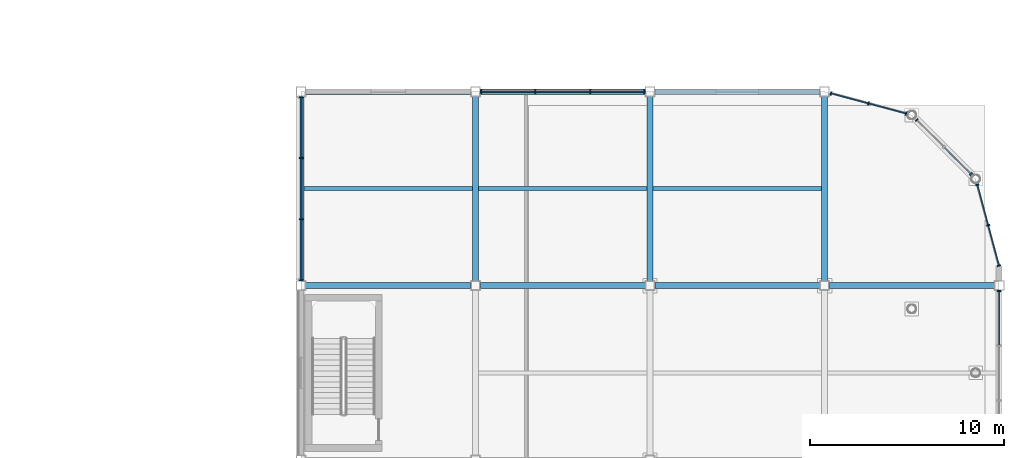
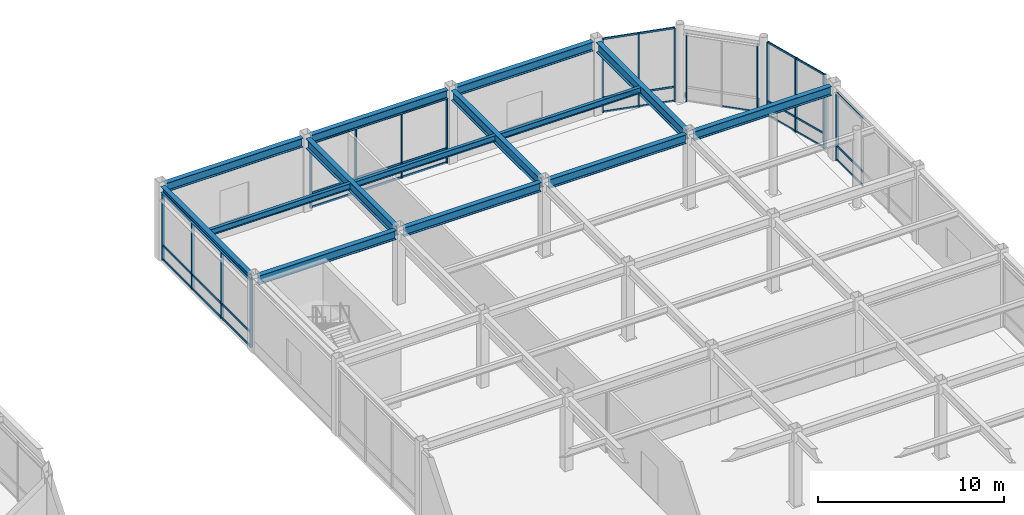
# One storey, part 62 of 123: 51 members, 14 beams, 6 elements without a shape of their own.
"""IFC4 building model written with IfcOpenShell, lengths in metres."""

from ifc_helpers import new_model, si_unit, direction, frame, origin, origin_2d, place, context, subcontext, project, spatial, rectangle, i_section, extrude, material, material_profile, profile_set, type_object, element, aggregate, save


model = new_model("IFC4")

# Units and contexts
model_context = context("Model", 3, precision=1e-05, world=origin(), true_north=direction((0.0, 1.0)))
body_context = subcontext(model_context, "Body", "Model", "MODEL_VIEW")
ifc_project = project(units=[si_unit("LENGTHUNIT", "METRE"), si_unit("AREAUNIT", "SQUARE_METRE"), si_unit("VOLUMEUNIT", "CUBIC_METRE"), si_unit("PLANEANGLEUNIT", "RADIAN"), si_unit("MASSUNIT", "GRAM", prefix="KILO")], contexts=[model_context])

# Site, building, storey
site_placement = place(None, origin())
site = spatial("IfcSite", under=ifc_project, at=site_placement, CompositionType="ELEMENT")
building_placement = place(site_placement, origin())
building = spatial("IfcBuilding", under=site, at=building_placement, Name="Suzunagisa Mobility Hub", CompositionType="ELEMENT")
storey_placement = place(building_placement, origin())
storey = spatial("IfcBuildingStorey", under=building, at=storey_placement, Name="L00", CompositionType="ELEMENT", Elevation=0.0)

# Curtain wall, members
ifc_material_1 = material(Name="Thermally Broken Anodized Aluminum and Low-E Glazing", Category="aluminium")
curtain_wall_type_1 = type_object("IfcCurtainWallType", Name="Unitised Curtain Wall CW-47 8500x4400", PredefinedType="USERDEFINED", material=ifc_material_1)
curtain_wall_1_placement = place(storey_placement, origin())
curtain_wall_1 = element("IfcCurtainWall", 1, at=curtain_wall_1_placement, inside=storey, type_object=curtain_wall_type_1, Name="L00 Unitised Curtain Wall CW-175", ObjectType="UNITISED CURTAIN WALL", PredefinedType="USERDEFINED")
ifc_material_2 = material(Name="Anodized Aluminum 6063-T6", Category="aluminium")
ifc_material_profile_1 = material_profile(ifc_material_2, rectangle(XDim=0.06494140625, YDim=0.139892578125, at=origin_2d()), Name="TRAN-65x140")
ifc_profile_set_1 = profile_set([ifc_material_profile_1], Name="Anodized Aluminum 6063-T6")
member_type_1 = type_object("IfcMemberType", Name="Curtain Wall Framing CM-01 TRAN-65x140", PredefinedType="USERDEFINED", material=ifc_profile_set_1)
member_1_placement = place(storey_placement, frame((180.0, 94.947265625, 0.032470703125), z_axis=(0.0, 1.0, 0.0), x_axis=(-1.0, 0.0, 0.0)))
member_1 = element("IfcMember", 2, at=member_1_placement, type_object=member_type_1, Name="Curtain Wall Transom 175-T3.1", ObjectType="TRANSOM", PredefinedType="USERDEFINED", context=body_context, shape_type="SweptSolid", body=[
    extrude(rectangle(XDim=0.06494140625, YDim=0.139892578125, at=origin_2d()), origin(), (0.0, 0.0, 1.0), 2.73974609375),
])
member_2_placement = place(storey_placement, frame((180.0, 94.947265625, 0.949951171875), z_axis=(0.0, 1.0, 0.0), x_axis=(-1.0, 0.0, 0.0)))
member_2 = element("IfcMember", 3, at=member_2_placement, type_object=member_type_1, Name="Curtain Wall Transom 175-T3.2", ObjectType="TRANSOM", PredefinedType="USERDEFINED", context=body_context, shape_type="SweptSolid", body=[
    extrude(rectangle(XDim=0.06494140625, YDim=0.139892578125, at=origin_2d()), origin(), (0.0, 0.0, 1.0), 2.73974609375),
])
member_3_placement = place(storey_placement, frame((180.0, 94.947265625, 4.407470703125), z_axis=(0.0, 1.0, 0.0), x_axis=(-1.0, 0.0, 0.0)))
member_3 = element("IfcMember", 4, at=member_3_placement, type_object=member_type_1, Name="Curtain Wall Transom 175-T3.3", ObjectType="TRANSOM", PredefinedType="USERDEFINED", context=body_context, shape_type="SweptSolid", body=[
    extrude(rectangle(XDim=0.06494140625, YDim=0.139892578125, at=origin_2d()), origin(), (0.0, 0.0, 1.0), 2.73974609375),
])

curtain_wall_type_2 = type_object("IfcCurtainWallType", Name="Unitised Curtain Wall CW-21 8500x4300", PredefinedType="USERDEFINED", material=ifc_material_1)
curtain_wall_2_placement = place(storey_placement, origin())
curtain_wall_2 = element("IfcCurtainWall", 5, at=curtain_wall_2_placement, inside=storey, type_object=curtain_wall_type_2, Name="L00 Unitised Curtain Wall CW-179", ObjectType="UNITISED CURTAIN WALL", PredefinedType="USERDEFINED")
member_4_placement = place(storey_placement, frame((161.68701171875, 108.0, 0.032470703125), z_axis=(-1.0, 0.0, 0.0), x_axis=(0.0, -1.0, 0.0)))
member_4 = element("IfcMember", 6, at=member_4_placement, type_object=member_type_1, Name="Curtain Wall Transom 179-T1.1", ObjectType="TRANSOM", PredefinedType="USERDEFINED", context=body_context, shape_type="SweptSolid", body=[
    extrude(rectangle(XDim=0.06494140625, YDim=0.139892578125, at=origin_2d()), origin(), (0.0, 0.0, 1.0), 2.73974609375),
])
member_5_placement = place(storey_placement, frame((161.68701171875, 108.0, 0.949951171875), z_axis=(-1.0, 0.0, 0.0), x_axis=(0.0, -1.0, 0.0)))
member_5 = element("IfcMember", 7, at=member_5_placement, type_object=member_type_1, Name="Curtain Wall Transom 179-T1.2", ObjectType="TRANSOM", PredefinedType="USERDEFINED", context=body_context, shape_type="SweptSolid", body=[
    extrude(rectangle(XDim=0.06494140625, YDim=0.139892578125, at=origin_2d()), origin(), (0.0, 0.0, 1.0), 2.73974609375),
])
member_6_placement = place(storey_placement, frame((161.68701171875, 108.0, 4.219482421875), z_axis=(-1.0, 0.0, 0.0), x_axis=(0.0, -1.0, 0.0)))
member_6 = element("IfcMember", 8, at=member_6_placement, type_object=member_type_1, Name="Curtain Wall Transom 179-T1.3", ObjectType="TRANSOM", PredefinedType="USERDEFINED", context=body_context, shape_type="SweptSolid", body=[
    extrude(rectangle(XDim=0.06494140625, YDim=0.139892578125, at=origin_2d()), origin(), (0.0, 0.0, 1.0), 2.73974609375),
])
member_7_placement = place(storey_placement, frame((158.88623046875, 108.0, 0.032470703125), z_axis=(-1.0, 0.0, 0.0), x_axis=(0.0, -1.0, 0.0)))
member_7 = element("IfcMember", 9, at=member_7_placement, type_object=member_type_1, Name="Curtain Wall Transom 179-T2.1", ObjectType="TRANSOM", PredefinedType="USERDEFINED", context=body_context, shape_type="SweptSolid", body=[
    extrude(rectangle(XDim=0.06494140625, YDim=0.139892578125, at=origin_2d()), origin(), (0.0, 0.0, 1.0), 2.7724609375),
])
member_8_placement = place(storey_placement, frame((158.88623046875, 108.0, 0.949951171875), z_axis=(-1.0, 0.0, 0.0), x_axis=(0.0, -1.0, 0.0)))
member_8 = element("IfcMember", 10, at=member_8_placement, type_object=member_type_1, Name="Curtain Wall Transom 179-T2.2", ObjectType="TRANSOM", PredefinedType="USERDEFINED", context=body_context, shape_type="SweptSolid", body=[
    extrude(rectangle(XDim=0.06494140625, YDim=0.139892578125, at=origin_2d()), origin(), (0.0, 0.0, 1.0), 2.7724609375),
])
member_9_placement = place(storey_placement, frame((158.88623046875, 108.0, 4.219482421875), z_axis=(-1.0, 0.0, 0.0), x_axis=(0.0, -1.0, 0.0)))
member_9 = element("IfcMember", 11, at=member_9_placement, type_object=member_type_1, Name="Curtain Wall Transom 179-T2.3", ObjectType="TRANSOM", PredefinedType="USERDEFINED", context=body_context, shape_type="SweptSolid", body=[
    extrude(rectangle(XDim=0.06494140625, YDim=0.139892578125, at=origin_2d()), origin(), (0.0, 0.0, 1.0), 2.7724609375),
])
member_10_placement = place(storey_placement, frame((156.052734375, 108.0, 0.032470703125), z_axis=(-1.0, 0.0, 0.0), x_axis=(0.0, -1.0, 0.0)))
member_10 = element("IfcMember", 12, at=member_10_placement, type_object=member_type_1, Name="Curtain Wall Transom 179-T3.1", ObjectType="TRANSOM", PredefinedType="USERDEFINED", context=body_context, shape_type="SweptSolid", body=[
    extrude(rectangle(XDim=0.06494140625, YDim=0.139892578125, at=origin_2d()), origin(), (0.0, 0.0, 1.0), 2.73974609375),
])
member_11_placement = place(storey_placement, frame((156.052734375, 108.0, 0.949951171875), z_axis=(-1.0, 0.0, 0.0), x_axis=(0.0, -1.0, 0.0)))
member_11 = element("IfcMember", 13, at=member_11_placement, type_object=member_type_1, Name="Curtain Wall Transom 179-T3.2", ObjectType="TRANSOM", PredefinedType="USERDEFINED", context=body_context, shape_type="SweptSolid", body=[
    extrude(rectangle(XDim=0.06494140625, YDim=0.139892578125, at=origin_2d()), origin(), (0.0, 0.0, 1.0), 2.73974609375),
])
member_12_placement = place(storey_placement, frame((156.052734375, 108.0, 4.219482421875), z_axis=(-1.0, 0.0, 0.0), x_axis=(0.0, -1.0, 0.0)))
member_12 = element("IfcMember", 14, at=member_12_placement, type_object=member_type_1, Name="Curtain Wall Transom 179-T3.3", ObjectType="TRANSOM", PredefinedType="USERDEFINED", context=body_context, shape_type="SweptSolid", body=[
    extrude(rectangle(XDim=0.06494140625, YDim=0.139892578125, at=origin_2d()), origin(), (0.0, 0.0, 1.0), 2.73974609375),
])

curtain_wall_type_3 = type_object("IfcCurtainWallType", Name="Unitised Curtain Wall CW-16 9500x4400", PredefinedType="USERDEFINED", material=ifc_material_1)
curtain_wall_3_placement = place(storey_placement, origin())
curtain_wall_3 = element("IfcCurtainWall", 15, at=curtain_wall_3_placement, inside=storey, type_object=curtain_wall_type_3, Name="L00 Unitised Curtain Wall CW-180", ObjectType="UNITISED CURTAIN WALL", PredefinedType="USERDEFINED")
member_13_placement = place(storey_placement, frame((144.0, 107.68701171875, 0.032470703125), z_axis=(0.0, -1.0, 0.0), x_axis=(1.0, 0.0, 0.0)))
member_13 = element("IfcMember", 16, at=member_13_placement, type_object=member_type_1, Name="Curtain Wall Transom 180-T1.1", ObjectType="TRANSOM", PredefinedType="USERDEFINED", context=body_context, shape_type="SweptSolid", body=[
    extrude(rectangle(XDim=0.06494140625, YDim=0.139892578125, at=origin_2d()), origin(), (0.0, 0.0, 1.0), 3.0732421875),
])
member_14_placement = place(storey_placement, frame((144.0, 107.68701171875, 0.949951171875), z_axis=(0.0, -1.0, 0.0), x_axis=(1.0, 0.0, 0.0)))
member_14 = element("IfcMember", 17, at=member_14_placement, type_object=member_type_1, Name="Curtain Wall Transom 180-T1.2", ObjectType="TRANSOM", PredefinedType="USERDEFINED", context=body_context, shape_type="SweptSolid", body=[
    extrude(rectangle(XDim=0.06494140625, YDim=0.139892578125, at=origin_2d()), origin(), (0.0, 0.0, 1.0), 3.0732421875),
])
member_15_placement = place(storey_placement, frame((144.0, 107.68701171875, 4.407470703125), z_axis=(0.0, -1.0, 0.0), x_axis=(1.0, 0.0, 0.0)))
member_15 = element("IfcMember", 18, at=member_15_placement, type_object=member_type_1, Name="Curtain Wall Transom 180-T1.3", ObjectType="TRANSOM", PredefinedType="USERDEFINED", context=body_context, shape_type="SweptSolid", body=[
    extrude(rectangle(XDim=0.06494140625, YDim=0.139892578125, at=origin_2d()), origin(), (0.0, 0.0, 1.0), 3.0732421875),
])
member_16_placement = place(storey_placement, frame((144.0, 104.552734375, 0.032470703125), z_axis=(0.0, -1.0, 0.0), x_axis=(1.0, 0.0, 0.0)))
member_16 = element("IfcMember", 19, at=member_16_placement, type_object=member_type_1, Name="Curtain Wall Transom 180-T2.1", ObjectType="TRANSOM", PredefinedType="USERDEFINED", context=body_context, shape_type="SweptSolid", body=[
    extrude(rectangle(XDim=0.06494140625, YDim=0.139892578125, at=origin_2d()), origin(), (0.0, 0.0, 1.0), 3.10546875),
])
member_17_placement = place(storey_placement, frame((144.0, 104.552734375, 0.949951171875), z_axis=(0.0, -1.0, 0.0), x_axis=(1.0, 0.0, 0.0)))
member_17 = element("IfcMember", 20, at=member_17_placement, type_object=member_type_1, Name="Curtain Wall Transom 180-T2.2", ObjectType="TRANSOM", PredefinedType="USERDEFINED", context=body_context, shape_type="SweptSolid", body=[
    extrude(rectangle(XDim=0.06494140625, YDim=0.139892578125, at=origin_2d()), origin(), (0.0, 0.0, 1.0), 3.10546875),
])
member_18_placement = place(storey_placement, frame((144.0, 104.552734375, 4.407470703125), z_axis=(0.0, -1.0, 0.0), x_axis=(1.0, 0.0, 0.0)))
member_18 = element("IfcMember", 21, at=member_18_placement, type_object=member_type_1, Name="Curtain Wall Transom 180-T2.3", ObjectType="TRANSOM", PredefinedType="USERDEFINED", context=body_context, shape_type="SweptSolid", body=[
    extrude(rectangle(XDim=0.06494140625, YDim=0.139892578125, at=origin_2d()), origin(), (0.0, 0.0, 1.0), 3.10546875),
])
member_19_placement = place(storey_placement, frame((144.0, 101.38623046875, 0.032470703125), z_axis=(0.0, -1.0, 0.0), x_axis=(1.0, 0.0, 0.0)))
member_19 = element("IfcMember", 22, at=member_19_placement, type_object=member_type_1, Name="Curtain Wall Transom 180-T3.1", ObjectType="TRANSOM", PredefinedType="USERDEFINED", context=body_context, shape_type="SweptSolid", body=[
    extrude(rectangle(XDim=0.06494140625, YDim=0.139892578125, at=origin_2d()), origin(), (0.0, 0.0, 1.0), 3.0732421875),
])
member_20_placement = place(storey_placement, frame((144.0, 101.38623046875, 0.949951171875), z_axis=(0.0, -1.0, 0.0), x_axis=(1.0, 0.0, 0.0)))
member_20 = element("IfcMember", 23, at=member_20_placement, type_object=member_type_1, Name="Curtain Wall Transom 180-T3.2", ObjectType="TRANSOM", PredefinedType="USERDEFINED", context=body_context, shape_type="SweptSolid", body=[
    extrude(rectangle(XDim=0.06494140625, YDim=0.139892578125, at=origin_2d()), origin(), (0.0, 0.0, 1.0), 3.0732421875),
])
member_21_placement = place(storey_placement, frame((144.0, 101.38623046875, 4.407470703125), z_axis=(0.0, -1.0, 0.0), x_axis=(1.0, 0.0, 0.0)))
member_21 = element("IfcMember", 24, at=member_21_placement, type_object=member_type_1, Name="Curtain Wall Transom 180-T3.3", ObjectType="TRANSOM", PredefinedType="USERDEFINED", context=body_context, shape_type="SweptSolid", body=[
    extrude(rectangle(XDim=0.06494140625, YDim=0.139892578125, at=origin_2d()), origin(), (0.0, 0.0, 1.0), 3.0732421875),
])

curtain_wall_type_4 = type_object("IfcCurtainWallType", Name="Unitised Curtain Wall CW-08 4500x4800", PredefinedType="USERDEFINED", material=ifc_material_1)
curtain_wall_4_placement = place(storey_placement, origin())
curtain_wall_4 = element("IfcCurtainWall", 25, at=curtain_wall_4_placement, inside=storey, type_object=curtain_wall_type_4, Name="L00 Unitised Curtain Wall CW-176", ObjectType="UNITISED CURTAIN WALL", PredefinedType="USERDEFINED")
ifc_material_profile_2 = material_profile(ifc_material_2, rectangle(XDim=0.06005859375, YDim=0.1201171875, at=origin_2d()), Name="TRAN-60x120")
ifc_profile_set_2 = profile_set([ifc_material_profile_2], Name="Anodized Aluminum 6063-T6")
member_type_2 = type_object("IfcMemberType", Name="Curtain Wall Framing CM-02 TRAN-60x120", PredefinedType="USERDEFINED", material=ifc_profile_set_2)
member_22_placement = place(storey_placement, frame((179.983642578125, 99.060791015625, 0.030029296875), z_axis=(-0.258837010304, 0.965921012349, 0.0), x_axis=(-0.965921012349, -0.258837010304, 0.0)))
member_22 = element("IfcMember", 26, at=member_22_placement, type_object=member_type_2, Name="Curtain Wall Transom 176-T1.1", ObjectType="TRANSOM", PredefinedType="USERDEFINED", context=body_context, shape_type="SweptSolid", body=[
    extrude(rectangle(XDim=0.06005859375, YDim=0.1201171875, at=origin_2d()), origin(), (0.0, 0.0, 1.0), 2.095947265625),
])
member_23_placement = place(storey_placement, frame((179.983642578125, 99.060791015625, 0.949951171875), z_axis=(-0.258837010304, 0.965921012349, 0.0), x_axis=(-0.965921012349, -0.258837010304, 0.0)))
member_23 = element("IfcMember", 27, at=member_23_placement, type_object=member_type_2, Name="Curtain Wall Transom 176-T1.2", ObjectType="TRANSOM", PredefinedType="USERDEFINED", context=body_context, shape_type="SweptSolid", body=[
    extrude(rectangle(XDim=0.06005859375, YDim=0.1201171875, at=origin_2d()), origin(), (0.0, 0.0, 1.0), 2.095947265625),
])
member_24_placement = place(storey_placement, frame((179.983642578125, 99.060791015625, 4.81005859375), z_axis=(-0.258837010304, 0.965921012349, 0.0), x_axis=(-0.965921012349, -0.258837010304, 0.0)))
member_24 = element("IfcMember", 28, at=member_24_placement, type_object=member_type_2, Name="Curtain Wall Transom 176-T1.3", ObjectType="TRANSOM", PredefinedType="USERDEFINED", context=body_context, shape_type="SweptSolid", body=[
    extrude(rectangle(XDim=0.06005859375, YDim=0.1201171875, at=origin_2d()), origin(), (0.0, 0.0, 1.0), 2.095947265625),
])
member_25_placement = place(storey_placement, frame((179.42529296875, 101.144287109375, 0.030029296875), z_axis=(-0.258728321405, 0.965950131064, 0.0), x_axis=(-0.965950131064, -0.258728321405, 0.0)))
member_25 = element("IfcMember", 29, at=member_25_placement, type_object=member_type_2, Name="Curtain Wall Transom 176-T2.1", ObjectType="TRANSOM", PredefinedType="USERDEFINED", context=body_context, shape_type="SweptSolid", body=[
    extrude(rectangle(XDim=0.06005859375, YDim=0.1201171875, at=origin_2d()), origin(), (0.0, 0.0, 1.0), 2.095703125),
])
member_26_placement = place(storey_placement, frame((179.42529296875, 101.144287109375, 0.949951171875), z_axis=(-0.258728321405, 0.965950131064, 0.0), x_axis=(-0.965950131064, -0.258728321405, 0.0)))
member_26 = element("IfcMember", 30, at=member_26_placement, type_object=member_type_2, Name="Curtain Wall Transom 176-T2.2", ObjectType="TRANSOM", PredefinedType="USERDEFINED", context=body_context, shape_type="SweptSolid", body=[
    extrude(rectangle(XDim=0.06005859375, YDim=0.1201171875, at=origin_2d()), origin(), (0.0, 0.0, 1.0), 2.095703125),
])
member_27_placement = place(storey_placement, frame((179.42529296875, 101.144287109375, 4.81005859375), z_axis=(-0.258728321405, 0.965950131064, 0.0), x_axis=(-0.965950131064, -0.258728321405, 0.0)))
member_27 = element("IfcMember", 31, at=member_27_placement, type_object=member_type_2, Name="Curtain Wall Transom 176-T2.3", ObjectType="TRANSOM", PredefinedType="USERDEFINED", context=body_context, shape_type="SweptSolid", body=[
    extrude(rectangle(XDim=0.06005859375, YDim=0.1201171875, at=origin_2d()), origin(), (0.0, 0.0, 1.0), 2.095703125),
])

# Curtain wall, member
curtain_wall_type_5 = type_object("IfcCurtainWallType", Name="Unitised Curtain Wall CW-26 4000x4400", PredefinedType="USERDEFINED", material=ifc_material_1)
curtain_wall_5_placement = place(storey_placement, origin())
curtain_wall_5 = element("IfcCurtainWall", 32, at=curtain_wall_5_placement, inside=storey, type_object=curtain_wall_type_5, Name="L00 Unitised Curtain Wall CW-177", ObjectType="UNITISED CURTAIN WALL", PredefinedType="USERDEFINED")
member_28_placement = place(storey_placement, frame((178.52099609375, 103.773193359375, 0.030029296875), z_axis=(-0.707106781187, 0.707106781187, 0.0), x_axis=(-0.707106781187, -0.707106781187, 0.0)))
member_28 = element("IfcMember", 33, at=member_28_placement, type_object=member_type_2, Name="Curtain Wall Transom 177-T1.1", ObjectType="TRANSOM", PredefinedType="USERDEFINED", context=body_context, shape_type="SweptSolid", body=[
    extrude(rectangle(XDim=0.06005859375, YDim=0.1201171875, at=origin_2d()), origin(), (0.0, 0.0, 1.0), 1.912353515625),
])

# Curtain wall, members
curtain_wall_type_6 = type_object("IfcCurtainWallType", Name="Unitised Curtain Wall CW-38 4000x4800", PredefinedType="USERDEFINED", material=ifc_material_1)
curtain_wall_6_placement = place(storey_placement, origin())
curtain_wall_6 = element("IfcCurtainWall", 34, at=curtain_wall_6_placement, inside=storey, type_object=curtain_wall_type_6, Name="L00 Unitised Curtain Wall CW-178", ObjectType="UNITISED CURTAIN WALL", PredefinedType="USERDEFINED")
member_29_placement = place(storey_placement, frame((175.168701171875, 106.883056640625, 0.030029296875), z_axis=(-0.965917200799, 0.258851233725, 0.0), x_axis=(-0.258851233725, -0.965917200799, 0.0)))
member_29 = element("IfcMember", 35, at=member_29_placement, type_object=member_type_2, Name="Curtain Wall Transom 178-T1.1", ObjectType="TRANSOM", PredefinedType="USERDEFINED", context=body_context, shape_type="SweptSolid", body=[
    extrude(rectangle(XDim=0.06005859375, YDim=0.1201171875, at=origin_2d()), origin(), (0.0, 0.0, 1.0), 1.94287109375),
])
member_30_placement = place(storey_placement, frame((175.168701171875, 106.883056640625, 0.949951171875), z_axis=(-0.965917200799, 0.258851233725, 0.0), x_axis=(-0.258851233725, -0.965917200799, 0.0)))
member_30 = element("IfcMember", 36, at=member_30_placement, type_object=member_type_2, Name="Curtain Wall Transom 178-T1.2", ObjectType="TRANSOM", PredefinedType="USERDEFINED", context=body_context, shape_type="SweptSolid", body=[
    extrude(rectangle(XDim=0.06005859375, YDim=0.1201171875, at=origin_2d()), origin(), (0.0, 0.0, 1.0), 1.94287109375),
])
member_31_placement = place(storey_placement, frame((175.168701171875, 106.883056640625, 4.81005859375), z_axis=(-0.965917200799, 0.258851233725, 0.0), x_axis=(-0.258851233725, -0.965917200799, 0.0)))
member_31 = element("IfcMember", 37, at=member_31_placement, type_object=member_type_2, Name="Curtain Wall Transom 178-T1.3", ObjectType="TRANSOM", PredefinedType="USERDEFINED", context=body_context, shape_type="SweptSolid", body=[
    extrude(rectangle(XDim=0.06005859375, YDim=0.1201171875, at=origin_2d()), origin(), (0.0, 0.0, 1.0), 1.94287109375),
])
member_32_placement = place(storey_placement, frame((173.233154296875, 107.401611328125, 0.030029296875), z_axis=(-0.96590877982, 0.258882655013, 0.0), x_axis=(-0.258882655013, -0.96590877982, 0.0)))
member_32 = element("IfcMember", 38, at=member_32_placement, type_object=member_type_2, Name="Curtain Wall Transom 178-T2.1", ObjectType="TRANSOM", PredefinedType="USERDEFINED", context=body_context, shape_type="SweptSolid", body=[
    extrude(rectangle(XDim=0.06005859375, YDim=0.1201171875, at=origin_2d()), origin(), (0.0, 0.0, 1.0), 1.942626953125),
])
member_33_placement = place(storey_placement, frame((173.233154296875, 107.401611328125, 0.949951171875), z_axis=(-0.96590877982, 0.258882655013, 0.0), x_axis=(-0.258882655013, -0.96590877982, 0.0)))
member_33 = element("IfcMember", 39, at=member_33_placement, type_object=member_type_2, Name="Curtain Wall Transom 178-T2.2", ObjectType="TRANSOM", PredefinedType="USERDEFINED", context=body_context, shape_type="SweptSolid", body=[
    extrude(rectangle(XDim=0.06005859375, YDim=0.1201171875, at=origin_2d()), origin(), (0.0, 0.0, 1.0), 1.942626953125),
])
member_34_placement = place(storey_placement, frame((173.233154296875, 107.401611328125, 4.81005859375), z_axis=(-0.96590877982, 0.258882655013, 0.0), x_axis=(-0.258882655013, -0.96590877982, 0.0)))
member_34 = element("IfcMember", 40, at=member_34_placement, type_object=member_type_2, Name="Curtain Wall Transom 178-T2.3", ObjectType="TRANSOM", PredefinedType="USERDEFINED", context=body_context, shape_type="SweptSolid", body=[
    extrude(rectangle(XDim=0.06005859375, YDim=0.1201171875, at=origin_2d()), origin(), (0.0, 0.0, 1.0), 1.942626953125),
])

# Member
ifc_material_profile_3 = material_profile(ifc_material_2, rectangle(XDim=0.06494140625, YDim=0.179931640625, at=origin_2d()), Name="MULL-65x180")
ifc_profile_set_3 = profile_set([ifc_material_profile_3], Name="Anodized Aluminum 6063-T6")
member_type_3 = type_object("IfcMemberType", Name="Curtain Wall Framing CM-04 MULL-65x180", PredefinedType="MULLION", material=ifc_profile_set_3)
member_35_placement = place(storey_placement, frame((180.0, 97.717529296875, 0.0), z_axis=(0.0, 0.0, 1.0), x_axis=(0.0, 1.0, 0.0)))
member_35 = element("IfcMember", 41, at=member_35_placement, type_object=member_type_3, Name="Curtain Wall Mullion 175-M4", PredefinedType="MULLION", context=body_context, shape_type="SweptSolid", body=[
    extrude(rectangle(XDim=0.06494140625, YDim=0.179931640625, at=origin_2d()), origin(), (0.0, 0.0, 1.0), 4.43994140625),
])

aggregate(curtain_wall_1, [member_35, member_1, member_2, member_3])

member_36_placement = place(storey_placement, frame((179.99169921875, 99.031494140625, 0.0), z_axis=(0.0, 0.0, 1.0), x_axis=(-0.258815230137, 0.965926848498, 0.0)))
member_36 = element("IfcMember", 42, at=member_36_placement, type_object=member_type_3, Name="Curtain Wall Mullion 176-M1", PredefinedType="MULLION", context=body_context, shape_type="SweptSolid", body=[
    extrude(rectangle(XDim=0.06494140625, YDim=0.179931640625, at=origin_2d()), origin(), (0.0, 0.0, 1.0), 4.840087890625),
])

member_37_placement = place(storey_placement, frame((179.433349609375, 101.11474609375, 0.0), z_axis=(0.0, 0.0, 1.0), x_axis=(-0.258815230137, 0.965926848498, 0.0)))
member_37 = element("IfcMember", 43, at=member_37_placement, type_object=member_type_3, Name="Curtain Wall Mullion 176-M2", PredefinedType="MULLION", context=body_context, shape_type="SweptSolid", body=[
    extrude(rectangle(XDim=0.06494140625, YDim=0.179931640625, at=origin_2d()), origin(), (0.0, 0.0, 1.0), 4.840087890625),
])

member_38_placement = place(storey_placement, frame((178.875, 103.1982421875, 0.0), z_axis=(0.0, 0.0, 1.0), x_axis=(-0.258815230137, 0.965926848498, 0.0)))
member_38 = element("IfcMember", 44, at=member_38_placement, type_object=member_type_3, Name="Curtain Wall Mullion 176-M3", PredefinedType="MULLION", context=body_context, shape_type="SweptSolid", body=[
    extrude(rectangle(XDim=0.06494140625, YDim=0.179931640625, at=origin_2d()), origin(), (0.0, 0.0, 1.0), 4.840087890625),
])

aggregate(curtain_wall_4, [member_36, member_37, member_38, member_22, member_23, member_24, member_25, member_26, member_27])

member_39_placement = place(storey_placement, frame((178.54248046875, 103.751708984375, 0.0), z_axis=(0.0, 0.0, 1.0), x_axis=(-0.707106781187, 0.707106781187, 0.0)))
member_39 = element("IfcMember", 45, at=member_39_placement, type_object=member_type_3, Name="Curtain Wall Mullion 177-M1", PredefinedType="MULLION", context=body_context, shape_type="SweptSolid", body=[
    extrude(rectangle(XDim=0.06494140625, YDim=0.179931640625, at=origin_2d()), origin(), (0.0, 0.0, 1.0), 4.43994140625),
])

member_40_placement = place(storey_placement, frame((175.751708984375, 106.54248046875, 0.0), z_axis=(0.0, 0.0, 1.0), x_axis=(-0.707106781187, 0.707106781187, 0.0)))
member_40 = element("IfcMember", 46, at=member_40_placement, type_object=member_type_3, Name="Curtain Wall Mullion 177-M3", PredefinedType="MULLION", context=body_context, shape_type="SweptSolid", body=[
    extrude(rectangle(XDim=0.06494140625, YDim=0.179931640625, at=origin_2d()), origin(), (0.0, 0.0, 1.0), 4.43994140625),
])

aggregate(curtain_wall_5, [member_39, member_40, member_28])

member_41_placement = place(storey_placement, frame((175.1982421875, 106.875, 0.0), z_axis=(0.0, 0.0, 1.0), x_axis=(-0.965923280752, 0.258828544988, 0.0)))
member_41 = element("IfcMember", 47, at=member_41_placement, type_object=member_type_3, Name="Curtain Wall Mullion 178-M1", PredefinedType="MULLION", context=body_context, shape_type="SweptSolid", body=[
    extrude(rectangle(XDim=0.06494140625, YDim=0.179931640625, at=origin_2d()), origin(), (0.0, 0.0, 1.0), 4.840087890625),
])

member_42_placement = place(storey_placement, frame((173.2626953125, 107.393798828125, 0.0), z_axis=(0.0, 0.0, 1.0), x_axis=(-0.965923280752, 0.258828544988, 0.0)))
member_42 = element("IfcMember", 48, at=member_42_placement, type_object=member_type_3, Name="Curtain Wall Mullion 178-M2", PredefinedType="MULLION", context=body_context, shape_type="SweptSolid", body=[
    extrude(rectangle(XDim=0.06494140625, YDim=0.179931640625, at=origin_2d()), origin(), (0.0, 0.0, 1.0), 4.840087890625),
])

member_43_placement = place(storey_placement, frame((171.3271484375, 107.912353515625, 0.0), z_axis=(0.0, 0.0, 1.0), x_axis=(-0.965923280752, 0.258828544988, 0.0)))
member_43 = element("IfcMember", 49, at=member_43_placement, type_object=member_type_3, Name="Curtain Wall Mullion 178-M3", PredefinedType="MULLION", context=body_context, shape_type="SweptSolid", body=[
    extrude(rectangle(XDim=0.06494140625, YDim=0.179931640625, at=origin_2d()), origin(), (0.0, 0.0, 1.0), 4.840087890625),
])

aggregate(curtain_wall_6, [member_41, member_42, member_43, member_29, member_30, member_31, member_32, member_33, member_34])

member_44_placement = place(storey_placement, frame((161.717529296875, 108.0, 0.0), z_axis=(0.0, 0.0, 1.0), x_axis=(-1.0, 0.0, 0.0)))
member_44 = element("IfcMember", 50, at=member_44_placement, type_object=member_type_3, Name="Curtain Wall Mullion 179-M1", PredefinedType="MULLION", context=body_context, shape_type="SweptSolid", body=[
    extrude(rectangle(XDim=0.06494140625, YDim=0.179931640625, at=origin_2d()), origin(), (0.0, 0.0, 1.0), 4.251953125),
])

member_45_placement = place(storey_placement, frame((158.916748046875, 108.0, 0.0), z_axis=(0.0, 0.0, 1.0), x_axis=(-1.0, 0.0, 0.0)))
member_45 = element("IfcMember", 51, at=member_45_placement, type_object=member_type_3, Name="Curtain Wall Mullion 179-M2", PredefinedType="MULLION", context=body_context, shape_type="SweptSolid", body=[
    extrude(rectangle(XDim=0.06494140625, YDim=0.179931640625, at=origin_2d()), origin(), (0.0, 0.0, 1.0), 4.251953125),
])

member_46_placement = place(storey_placement, frame((156.083251953125, 108.0, 0.0), z_axis=(0.0, 0.0, 1.0), x_axis=(-1.0, 0.0, 0.0)))
member_46 = element("IfcMember", 52, at=member_46_placement, type_object=member_type_3, Name="Curtain Wall Mullion 179-M3", PredefinedType="MULLION", context=body_context, shape_type="SweptSolid", body=[
    extrude(rectangle(XDim=0.06494140625, YDim=0.179931640625, at=origin_2d()), origin(), (0.0, 0.0, 1.0), 4.251953125),
])

member_47_placement = place(storey_placement, frame((153.282470703125, 108.0, 0.0), z_axis=(0.0, 0.0, 1.0), x_axis=(-1.0, 0.0, 0.0)))
member_47 = element("IfcMember", 53, at=member_47_placement, type_object=member_type_3, Name="Curtain Wall Mullion 179-M4", PredefinedType="MULLION", context=body_context, shape_type="SweptSolid", body=[
    extrude(rectangle(XDim=0.06494140625, YDim=0.179931640625, at=origin_2d()), origin(), (0.0, 0.0, 1.0), 4.251953125),
])

aggregate(curtain_wall_2, [member_44, member_45, member_46, member_47, member_4, member_5, member_6, member_7, member_8, member_9, member_10, member_11, member_12])

member_48_placement = place(storey_placement, frame((144.0, 107.717529296875, 0.0), z_axis=(0.0, 0.0, 1.0), x_axis=(0.0, -1.0, 0.0)))
member_48 = element("IfcMember", 54, at=member_48_placement, type_object=member_type_3, Name="Curtain Wall Mullion 180-M1", PredefinedType="MULLION", context=body_context, shape_type="SweptSolid", body=[
    extrude(rectangle(XDim=0.06494140625, YDim=0.179931640625, at=origin_2d()), origin(), (0.0, 0.0, 1.0), 4.43994140625),
])

member_49_placement = place(storey_placement, frame((144.0, 104.583251953125, 0.0), z_axis=(0.0, 0.0, 1.0), x_axis=(0.0, -1.0, 0.0)))
member_49 = element("IfcMember", 55, at=member_49_placement, type_object=member_type_3, Name="Curtain Wall Mullion 180-M2", PredefinedType="MULLION", context=body_context, shape_type="SweptSolid", body=[
    extrude(rectangle(XDim=0.06494140625, YDim=0.179931640625, at=origin_2d()), origin(), (0.0, 0.0, 1.0), 4.43994140625),
])

member_50_placement = place(storey_placement, frame((144.0, 101.416748046875, 0.0), z_axis=(0.0, 0.0, 1.0), x_axis=(0.0, -1.0, 0.0)))
member_50 = element("IfcMember", 56, at=member_50_placement, type_object=member_type_3, Name="Curtain Wall Mullion 180-M3", PredefinedType="MULLION", context=body_context, shape_type="SweptSolid", body=[
    extrude(rectangle(XDim=0.06494140625, YDim=0.179931640625, at=origin_2d()), origin(), (0.0, 0.0, 1.0), 4.43994140625),
])

member_51_placement = place(storey_placement, frame((144.0, 98.282470703125, 0.0), z_axis=(0.0, 0.0, 1.0), x_axis=(0.0, -1.0, 0.0)))
member_51 = element("IfcMember", 57, at=member_51_placement, type_object=member_type_3, Name="Curtain Wall Mullion 180-M4", PredefinedType="MULLION", context=body_context, shape_type="SweptSolid", body=[
    extrude(rectangle(XDim=0.06494140625, YDim=0.179931640625, at=origin_2d()), origin(), (0.0, 0.0, 1.0), 4.43994140625),
])

aggregate(curtain_wall_3, [member_48, member_49, member_50, member_51, member_13, member_14, member_15, member_16, member_17, member_18, member_19, member_20, member_21])

# Beams
ifc_material_3 = material(Name="Steel SN490B", Category="steel")
ifc_material_profile_4 = material_profile(ifc_material_3, i_section(OverallWidth=0.300048828125, OverallDepth=0.64990234375, WebThickness=0.012939453125, FlangeThickness=0.02197265625, FilletRadius=0.01611328125, at=origin_2d()), Name="H-650x300x13x22")
ifc_profile_set_4 = profile_set([ifc_material_profile_4], Name="Steel SN490B")
beam_type_1 = type_object("IfcBeamType", Name="Steel Beam BM-10 H-650x300x13x22", PredefinedType="BEAM", material=ifc_profile_set_4)
for number, where, z_axis, x_axis, name in (
    (58, (153.0, 98.24609375, 4.514892578125), (0.0, 1.0, 0.0), (-1.0, 0.0, 0.0), "L00 Primary Girder GY-1750"),
    (59, (162.0, 98.24609375, 4.514892578125), (0.0, 1.0, 0.0), (-1.0, 0.0, 0.0), "L00 Primary Girder GY-1757"),
    (60, (171.0, 98.24609375, 4.514892578125), (0.0, 1.0, 0.0), (-1.0, 0.0, 0.0), "L00 Primary Girder GY-1764"),
):
    element("IfcBeam", number, at=place(storey_placement, frame(where, z_axis=z_axis, x_axis=x_axis)), inside=storey, type_object=beam_type_1, Name=name, PredefinedType="BEAM", context=body_context, shape_type="SweptSolid", body=[
        extrude(i_section(OverallWidth=0.300048828125, OverallDepth=0.64990234375, WebThickness=0.012939453125, FlangeThickness=0.02197265625, FilletRadius=0.01611328125, at=origin_2d()), origin(), (0.0, 0.0, 1.0), 9.5078125),
    ])
ifc_material_profile_5 = material_profile(ifc_material_3, i_section(OverallWidth=0.300048828125, OverallDepth=0.389892578125, WebThickness=0.010009765625, FlangeThickness=0.01611328125, FilletRadius=0.012939453125, at=origin_2d()), Name="H-390x300x10x16")
ifc_profile_set_5 = profile_set([ifc_material_profile_5], Name="Steel SN490B")
beam_type_2 = type_object("IfcBeamType", Name="Steel Beam BM-13 H-390x300x10x16", PredefinedType="SPANDREL", material=ifc_profile_set_5)
beam_placement = place(storey_placement, frame((144.0, 98.24609375, 4.64501953125), z_axis=(0.0, 1.0, 0.0), x_axis=(-1.0, 0.0, 0.0)))
element("IfcBeam", 61, at=beam_placement, inside=storey, type_object=beam_type_2, Name="L00 Primary Girder GY-1743", PredefinedType="SPANDREL", context=body_context, shape_type="SweptSolid", body=[
    extrude(i_section(OverallWidth=0.300048828125, OverallDepth=0.389892578125, WebThickness=0.010009765625, FlangeThickness=0.01611328125, FilletRadius=0.012939453125, at=origin_2d()), origin(), (0.0, 0.0, 1.0), 9.5078125),
])
ifc_material_4 = material(Name="Steel SN400B", Category="steel")
ifc_material_profile_6 = material_profile(ifc_material_4, i_section(OverallWidth=0.199951171875, OverallDepth=0.39990234375, WebThickness=0.008056640625, FlangeThickness=0.012939453125, FilletRadius=0.012939453125, at=origin_2d()), Name="H-400x200x8x13")
ifc_profile_set_6 = profile_set([ifc_material_profile_6], Name="Steel SN400B")
beam_type_3 = type_object("IfcBeamType", Name="Steel Beam BM-14 H-400x200x8x13", PredefinedType="JOIST", material=ifc_profile_set_6)
for number, where, z_axis, x_axis, name in (
    (62, (144.14990234375, 103.0, 4.639892578125), (1.0, 0.0, 0.0), (0.0, 1.0, 0.0), "L00 Composite Floor Joist J-1775"),
    (63, (153.14990234375, 103.0, 4.639892578125), (1.0, 0.0, 0.0), (0.0, 1.0, 0.0), "L00 Composite Floor Joist J-1782"),
    (64, (162.14990234375, 103.0, 4.639892578125), (1.0, 0.0, 0.0), (0.0, 1.0, 0.0), "L00 Composite Floor Joist J-1788"),
):
    element("IfcBeam", number, at=place(storey_placement, frame(where, z_axis=z_axis, x_axis=x_axis)), inside=storey, type_object=beam_type_3, Name=name, PredefinedType="JOIST", context=body_context, shape_type="SweptSolid", body=[
        extrude(i_section(OverallWidth=0.199951171875, OverallDepth=0.39990234375, WebThickness=0.008056640625, FlangeThickness=0.012939453125, FilletRadius=0.012939453125, at=origin_2d()), origin(), (0.0, 0.0, 1.0), 8.7001953125),
    ])
ifc_material_profile_7 = material_profile(ifc_material_3, i_section(OverallWidth=0.300048828125, OverallDepth=0.587890625, WebThickness=0.011962890625, FlangeThickness=0.02001953125, FilletRadius=0.012939453125, at=origin_2d()), Name="H-588x300x12x20")
ifc_profile_set_7 = profile_set([ifc_material_profile_7], Name="Steel SN490B")
beam_type_4 = type_object("IfcBeamType", Name="Steel Beam BM-16 H-588x300x12x20", PredefinedType="BEAM", material=ifc_profile_set_7)
for number, where, z_axis, x_axis, name in (
    (65, (144.24609375, 98.0, 4.5458984375), (1.0, 0.0, 0.0), (0.0, 1.0, 0.0), "L00 Primary Girder GX-1730"),
    (66, (153.24609375, 98.0, 4.5458984375), (1.0, 0.0, 0.0), (0.0, 1.0, 0.0), "L00 Primary Girder GX-1731"),
    (67, (162.24609375, 98.0, 4.5458984375), (1.0, 0.0, 0.0), (0.0, 1.0, 0.0), "L00 Primary Girder GX-1732"),
    (68, (171.24609375, 98.0, 4.5458984375), (1.0, 0.0, 0.0), (0.0, 1.0, 0.0), "L00 Primary Girder GX-1733"),
    (69, (144.24609375, 108.0, 4.5458984375), (1.0, 0.0, 0.0), (0.0, 1.0, 0.0), "L00 Primary Girder GX-1734"),
    (70, (153.24609375, 108.0, 4.5458984375), (1.0, 0.0, 0.0), (0.0, 1.0, 0.0), "L00 Primary Girder GX-1735"),
    (71, (162.24609375, 108.0, 4.5458984375), (1.0, 0.0, 0.0), (0.0, 1.0, 0.0), "L00 Primary Girder GX-1736"),
):
    element("IfcBeam", number, at=place(storey_placement, frame(where, z_axis=z_axis, x_axis=x_axis)), inside=storey, type_object=beam_type_4, Name=name, PredefinedType="BEAM", context=body_context, shape_type="SweptSolid", body=[
        extrude(i_section(OverallWidth=0.300048828125, OverallDepth=0.587890625, WebThickness=0.011962890625, FlangeThickness=0.02001953125, FilletRadius=0.012939453125, at=origin_2d()), origin(), (0.0, 0.0, 1.0), 8.5078125),
    ])

save(model, "model.ifc")
